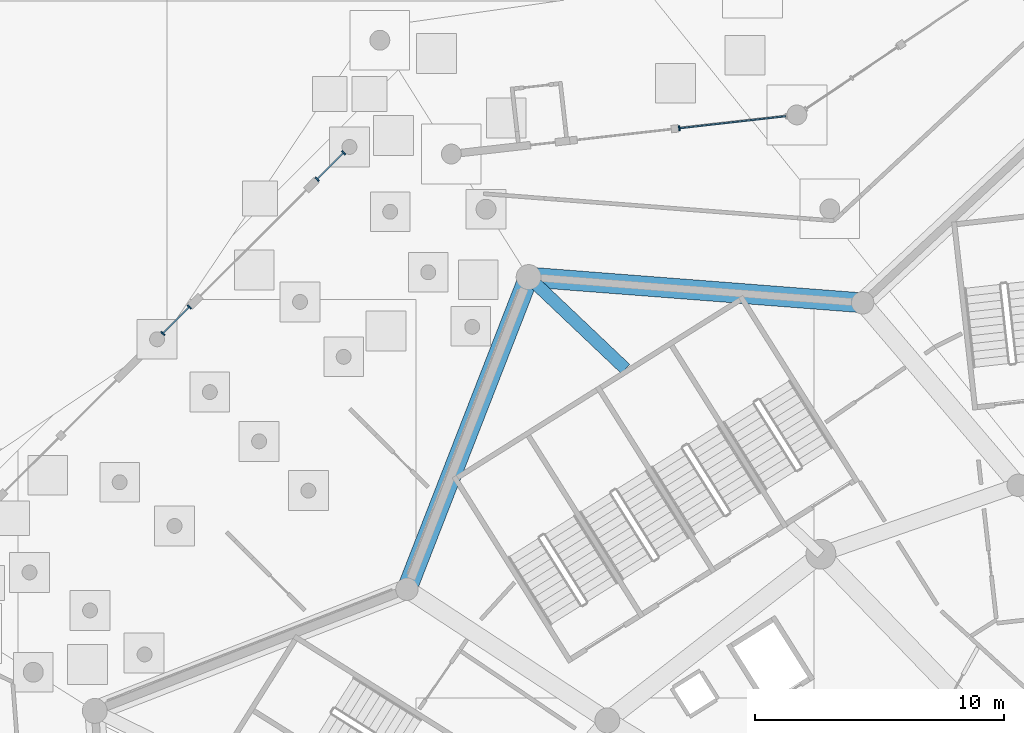
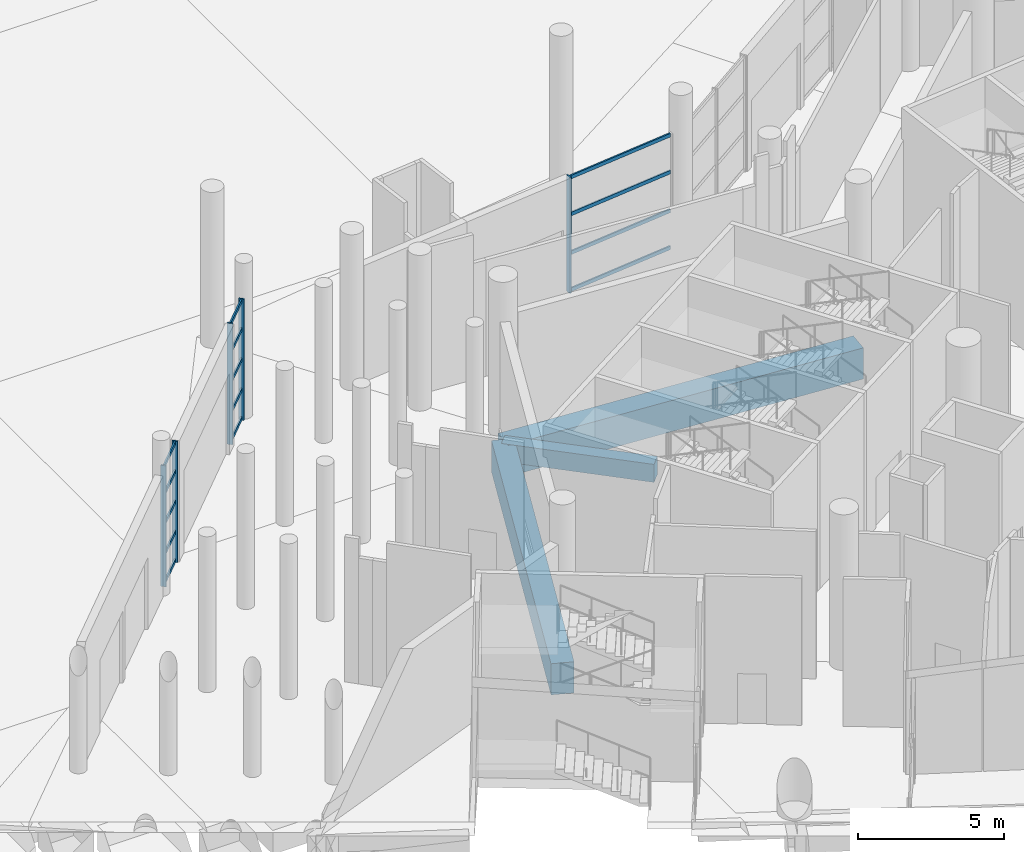
# One storey, part 50 of 255: 19 members, 3 beams, 3 elements without a shape of their own.
"""IFC4 building model written with IfcOpenShell, lengths in metres."""

from ifc_helpers import new_model, si_unit, direction, frame, origin, origin_2d, place, context, subcontext, project, spatial, rectangle, extrude, material, layer, layer_set, material_profile, profile_set, type_object, element, aggregate, save


model = new_model("IFC4")

# Units and contexts
model_context = context("Model", 3, precision=1e-05, world=origin(), true_north=direction((0.0, 1.0)))
body_context = subcontext(model_context, "Body", "Model", "MODEL_VIEW")
ifc_project = project(units=[si_unit("LENGTHUNIT", "METRE"), si_unit("AREAUNIT", "SQUARE_METRE"), si_unit("VOLUMEUNIT", "CUBIC_METRE"), si_unit("PLANEANGLEUNIT", "RADIAN"), si_unit("MASSUNIT", "GRAM", prefix="KILO")], contexts=[model_context])

# Site, building, storey
site_placement = place(None, origin())
site = spatial("IfcSite", under=ifc_project, at=site_placement, CompositionType="ELEMENT")
building_placement = place(site_placement, origin())
building = spatial("IfcBuilding", under=site, at=building_placement, Name="Meseta Stadium", CompositionType="ELEMENT")
storey_placement = place(building_placement, origin())
storey = spatial("IfcBuildingStorey", under=building, at=storey_placement, Name="L00", CompositionType="ELEMENT", Elevation=0.0)

# Beams
ifc_material_1 = material(Name="Concrete C40/50", Category="concrete")
ifc_material_profile_1 = material_profile(ifc_material_1, rectangle(XDim=0.5, YDim=0.75, at=origin_2d()), Name="RC 500x750")
ifc_profile_set_1 = profile_set([ifc_material_profile_1], Name="Concrete C40/50")
beam_type_1 = type_object("IfcBeamType", Name="RC beam 500x750", PredefinedType="BEAM", material=ifc_profile_set_1)
beam_placement = place(storey_placement, frame((-71.57958984375, 93.214599609375, -0.77490234375), z_axis=(-0.725596444109, 0.688120483852, 0.0), x_axis=(-0.688120483852, -0.725596444109, 0.0)))
element("IfcBeam", 1, at=beam_placement, inside=storey, type_object=beam_type_1, Name="L00 radial beam frame 24 line P to R", PredefinedType="BEAM", context=body_context, shape_type="SweptSolid", body=[
    extrude(rectangle(XDim=0.5, YDim=0.75, at=origin_2d()), origin(), (0.0, 0.0, 1.0), 5.367919921875),
])
ifc_material_2 = material(Name="Concrete C40/50", Category="concrete")
ifc_material_profile_2 = material_profile(ifc_material_2, rectangle(XDim=0.800048828125, YDim=1.300048828125, at=origin_2d()), Name="RC 800x1300")
ifc_profile_set_2 = profile_set([ifc_material_profile_2], Name="Concrete C40/50")
beam_type_2 = type_object("IfcBeamType", Name="RC beam 800x1300", PredefinedType="BEAM", material=ifc_profile_set_2)
for number, where, z_axis, x_axis, name in (
    (2, (-62.051513671875, 95.872802734375, -1.050048828125), (-0.997036858399, 0.076925307894, 0.0), (-0.076925307894, -0.997036858399, 0.0), "L00 ring beam frame 23 line R"),
    (3, (-75.474609375, 96.908447265625, -1.050048828125), (-0.363287980868, -0.93167689837, 0.0), (0.93167689837, -0.363287980868, 0.0), "L00 ring beam frame 24 line R"),
):
    element("IfcBeam", number, at=place(storey_placement, frame(where, z_axis=z_axis, x_axis=x_axis)), inside=storey, type_object=beam_type_2, Name=name, PredefinedType="BEAM", context=body_context, shape_type="SweptSolid", body=[
        extrude(rectangle(XDim=0.800048828125, YDim=1.300048828125, at=origin_2d()), origin(), (0.0, 0.0, 1.0), 13.462890625),
    ])

# Curtain wall, member
ifc_material_3 = material(Name="Aluminium", Category="aluminium")
ifc_layer_1 = layer(ifc_material_3, 0.199951171875)
ifc_layer_set_1 = layer_set([ifc_layer_1], Name="Ring shopfront curtain wall")
curtain_wall_type_1 = type_object("IfcCurtainWallType", Name="Ring shopfront curtain wall", PredefinedType="NOTDEFINED", material=ifc_layer_set_1)
curtain_wall_1_placement = place(storey_placement, origin())
curtain_wall_1 = element("IfcCurtainWall", 4, at=curtain_wall_1_placement, inside=storey, type_object=curtain_wall_type_1, Name="Shopfront glazing F23a", PredefinedType="NOTDEFINED")
ifc_material_4 = material(Name="Aluminium", Category="aluminium")
ifc_material_profile_3 = material_profile(ifc_material_4, rectangle(XDim=0.199951171875, YDim=0.06005859375, at=origin_2d()), Name="CW 200x60")
ifc_profile_set_3 = profile_set([ifc_material_profile_3], Name="Aluminium")
member_type_1 = type_object("IfcMemberType", Name="Ring CW mullion 60x200", PredefinedType="MULLION", material=ifc_profile_set_3)
member_1_placement = place(storey_placement, frame((-69.42138671875, 102.888671875, 0.0), z_axis=(0.0, 0.0, 1.0), x_axis=(0.112472456913, -0.993654842707, 0.0)))
member_1 = element("IfcMember", 5, at=member_1_placement, type_object=member_type_1, Name="CWR1 mullion 2", PredefinedType="MULLION", context=body_context, shape_type="SweptSolid", body=[
    extrude(rectangle(XDim=0.199951171875, YDim=0.06005859375, at=origin_2d()), origin(), (0.0, 0.0, 1.0), 4.85009765625),
])

# Curtain wall, members
ifc_material_5 = material(Name="Aluminium", Category="aluminium")
ifc_layer_2 = layer(ifc_material_5, 0.199951171875)
ifc_layer_set_2 = layer_set([ifc_layer_2], Name="Gate hall curtain wall")
curtain_wall_type_2 = type_object("IfcCurtainWallType", Name="Gate hall curtain wall", PredefinedType="NOTDEFINED", material=ifc_layer_set_2)
curtain_wall_2_placement = place(storey_placement, origin())
curtain_wall_2 = element("IfcCurtainWall", 6, at=curtain_wall_2_placement, inside=storey, type_object=curtain_wall_type_2, Name="Gate 4 glazing", PredefinedType="NOTDEFINED")
member_2_placement = place(storey_placement, frame((-82.908447265625, 101.904296875, 0.0), z_axis=(0.0, 0.0, 1.0), x_axis=(0.707138691054, -0.707074869879, 0.0)))
member_2 = element("IfcMember", 7, at=member_2_placement, type_object=member_type_1, Name="CWG1 mullion 1", PredefinedType="MULLION", context=body_context, shape_type="SweptSolid", body=[
    extrude(rectangle(XDim=0.199951171875, YDim=0.06005859375, at=origin_2d()), origin(), (0.0, 0.0, 1.0), 5.050048828125),
])
member_3_placement = place(storey_placement, frame((-83.973876953125, 100.838623046875, 0.0), z_axis=(0.0, 0.0, 1.0), x_axis=(0.707138691054, -0.707074869879, 0.0)))
member_3 = element("IfcMember", 8, at=member_3_placement, type_object=member_type_1, Name="CWG1 mullion 2", PredefinedType="MULLION", context=body_context, shape_type="SweptSolid", body=[
    extrude(rectangle(XDim=0.199951171875, YDim=0.06005859375, at=origin_2d()), origin(), (0.0, 0.0, 1.0), 5.050048828125),
])

curtain_wall_3_placement = place(storey_placement, origin())
curtain_wall_3 = element("IfcCurtainWall", 9, at=curtain_wall_3_placement, inside=storey, type_object=curtain_wall_type_2, Name="Gate 4 glazing", PredefinedType="NOTDEFINED")
member_4_placement = place(storey_placement, frame((-89.107421875, 95.705078125, 0.0), z_axis=(0.0, 0.0, 1.0), x_axis=(0.707106781187, -0.707106781187, 0.0)))
member_4 = element("IfcMember", 10, at=member_4_placement, type_object=member_type_1, Name="CWG1 mullion 1", PredefinedType="MULLION", context=body_context, shape_type="SweptSolid", body=[
    extrude(rectangle(XDim=0.199951171875, YDim=0.06005859375, at=origin_2d()), origin(), (0.0, 0.0, 1.0), 5.050048828125),
])
member_5_placement = place(storey_placement, frame((-90.173095703125, 94.6396484375, 0.0), z_axis=(0.0, 0.0, 1.0), x_axis=(0.707106781187, -0.707106781187, 0.0)))
member_5 = element("IfcMember", 11, at=member_5_placement, type_object=member_type_1, Name="CWG1 mullion 2", PredefinedType="MULLION", context=body_context, shape_type="SweptSolid", body=[
    extrude(rectangle(XDim=0.199951171875, YDim=0.06005859375, at=origin_2d()), origin(), (0.0, 0.0, 1.0), 5.050048828125),
])

# Member
ifc_material_6 = material(Name="Aluminium", Category="aluminium")
ifc_material_profile_4 = material_profile(ifc_material_6, rectangle(XDim=0.06005859375, YDim=0.14990234375, at=origin_2d()), Name="CW 60x150")
ifc_profile_set_4 = profile_set([ifc_material_profile_4], Name="Aluminium")
member_type_2 = type_object("IfcMemberType", Name="Ring CW transom 60x150", PredefinedType="USERDEFINED", material=ifc_profile_set_4)
member_6_placement = place(storey_placement, frame((-65.15087890625, 103.3720703125, 0.074951171875), z_axis=(-0.993655622202, -0.112465570135, 0.0), x_axis=(0.112465570135, -0.993655622202, 0.0)))
member_6 = element("IfcMember", 12, at=member_6_placement, type_object=member_type_2, Name="CWR1 transom 1.1", ObjectType="TRANSOM", PredefinedType="USERDEFINED", context=body_context, shape_type="SweptSolid", body=[
    extrude(rectangle(XDim=0.06005859375, YDim=0.14990234375, at=origin_2d()), origin(), (0.0, 0.0, 1.0), 4.267822265625),
])

member_7_placement = place(storey_placement, frame((-65.15087890625, 103.3720703125, 1.61669921875), z_axis=(-0.993655622202, -0.112465570135, 0.0), x_axis=(0.112465570135, -0.993655622202, 0.0)))
member_7 = element("IfcMember", 13, at=member_7_placement, type_object=member_type_2, Name="CWR1 transom 1.2", ObjectType="TRANSOM", PredefinedType="USERDEFINED", context=body_context, shape_type="SweptSolid", body=[
    extrude(rectangle(XDim=0.06005859375, YDim=0.14990234375, at=origin_2d()), origin(), (0.0, 0.0, 1.0), 4.267822265625),
])

member_8_placement = place(storey_placement, frame((-65.15087890625, 103.3720703125, 3.2333984375), z_axis=(-0.993655622202, -0.112465570135, 0.0), x_axis=(0.112465570135, -0.993655622202, 0.0)))
member_8 = element("IfcMember", 14, at=member_8_placement, type_object=member_type_2, Name="CWR1 transom 1.3", ObjectType="TRANSOM", PredefinedType="USERDEFINED", context=body_context, shape_type="SweptSolid", body=[
    extrude(rectangle(XDim=0.06005859375, YDim=0.14990234375, at=origin_2d()), origin(), (0.0, 0.0, 1.0), 4.267822265625),
])

member_9_placement = place(storey_placement, frame((-65.15087890625, 103.3720703125, 4.77490234375), z_axis=(-0.993655622202, -0.112465570135, 0.0), x_axis=(0.112465570135, -0.993655622202, 0.0)))
member_9 = element("IfcMember", 15, at=member_9_placement, type_object=member_type_2, Name="CWR1 transom 1.4", ObjectType="TRANSOM", PredefinedType="USERDEFINED", context=body_context, shape_type="SweptSolid", body=[
    extrude(rectangle(XDim=0.06005859375, YDim=0.14990234375, at=origin_2d()), origin(), (0.0, 0.0, 1.0), 4.267822265625),
])

aggregate(curtain_wall_1, [member_1, member_6, member_7, member_8, member_9])

member_10_placement = place(storey_placement, frame((-82.9296875, 101.883056640625, 0.074951171875), z_axis=(-0.707022405938, -0.707191146369, 0.0), x_axis=(0.707191146369, -0.707022405938, 0.0)))
member_10 = element("IfcMember", 16, at=member_10_placement, type_object=member_type_2, Name="CWG1 transom 1.1", ObjectType="TRANSOM", PredefinedType="USERDEFINED", context=body_context, shape_type="SweptSolid", body=[
    extrude(rectangle(XDim=0.06005859375, YDim=0.14990234375, at=origin_2d()), origin(), (0.0, 0.0, 1.0), 1.44677734375),
])

member_11_placement = place(storey_placement, frame((-82.9296875, 101.883056640625, 1.262451171875), z_axis=(-0.707022405938, -0.707191146369, 0.0), x_axis=(0.707191146369, -0.707022405938, 0.0)))
member_11 = element("IfcMember", 17, at=member_11_placement, type_object=member_type_2, Name="CWG1 transom 1.2", ObjectType="TRANSOM", PredefinedType="USERDEFINED", context=body_context, shape_type="SweptSolid", body=[
    extrude(rectangle(XDim=0.06005859375, YDim=0.14990234375, at=origin_2d()), origin(), (0.0, 0.0, 1.0), 1.44677734375),
])

member_12_placement = place(storey_placement, frame((-82.9296875, 101.883056640625, 2.52490234375), z_axis=(-0.707022405938, -0.707191146369, 0.0), x_axis=(0.707191146369, -0.707022405938, 0.0)))
member_12 = element("IfcMember", 18, at=member_12_placement, type_object=member_type_2, Name="CWG1 transom 1.3", ObjectType="TRANSOM", PredefinedType="USERDEFINED", context=body_context, shape_type="SweptSolid", body=[
    extrude(rectangle(XDim=0.06005859375, YDim=0.14990234375, at=origin_2d()), origin(), (0.0, 0.0, 1.0), 1.44677734375),
])

member_13_placement = place(storey_placement, frame((-82.9296875, 101.883056640625, 3.78759765625), z_axis=(-0.707022405938, -0.707191146369, 0.0), x_axis=(0.707191146369, -0.707022405938, 0.0)))
member_13 = element("IfcMember", 19, at=member_13_placement, type_object=member_type_2, Name="CWG1 transom 1.4", ObjectType="TRANSOM", PredefinedType="USERDEFINED", context=body_context, shape_type="SweptSolid", body=[
    extrude(rectangle(XDim=0.06005859375, YDim=0.14990234375, at=origin_2d()), origin(), (0.0, 0.0, 1.0), 1.44677734375),
])

member_14_placement = place(storey_placement, frame((-82.9296875, 101.883056640625, 4.97509765625), z_axis=(-0.707022405938, -0.707191146369, 0.0), x_axis=(0.707191146369, -0.707022405938, 0.0)))
member_14 = element("IfcMember", 20, at=member_14_placement, type_object=member_type_2, Name="CWG1 transom 1.5", ObjectType="TRANSOM", PredefinedType="USERDEFINED", context=body_context, shape_type="SweptSolid", body=[
    extrude(rectangle(XDim=0.06005859375, YDim=0.14990234375, at=origin_2d()), origin(), (0.0, 0.0, 1.0), 1.44677734375),
])

aggregate(curtain_wall_2, [member_2, member_3, member_10, member_11, member_12, member_13, member_14])

member_15_placement = place(storey_placement, frame((-89.128662109375, 95.68408203125, 0.074951171875), z_axis=(-0.707106781187, -0.707106781187, 0.0), x_axis=(0.707106781187, -0.707106781187, 0.0)))
member_15 = element("IfcMember", 21, at=member_15_placement, type_object=member_type_2, Name="CWG1 transom 1.1", ObjectType="TRANSOM", PredefinedType="USERDEFINED", context=body_context, shape_type="SweptSolid", body=[
    extrude(rectangle(XDim=0.06005859375, YDim=0.14990234375, at=origin_2d()), origin(), (0.0, 0.0, 1.0), 1.447021484375),
])

member_16_placement = place(storey_placement, frame((-89.128662109375, 95.68408203125, 1.262451171875), z_axis=(-0.707106781187, -0.707106781187, 0.0), x_axis=(0.707106781187, -0.707106781187, 0.0)))
member_16 = element("IfcMember", 22, at=member_16_placement, type_object=member_type_2, Name="CWG1 transom 1.2", ObjectType="TRANSOM", PredefinedType="USERDEFINED", context=body_context, shape_type="SweptSolid", body=[
    extrude(rectangle(XDim=0.06005859375, YDim=0.14990234375, at=origin_2d()), origin(), (0.0, 0.0, 1.0), 1.447021484375),
])

member_17_placement = place(storey_placement, frame((-89.128662109375, 95.68408203125, 2.52490234375), z_axis=(-0.707106781187, -0.707106781187, 0.0), x_axis=(0.707106781187, -0.707106781187, 0.0)))
member_17 = element("IfcMember", 23, at=member_17_placement, type_object=member_type_2, Name="CWG1 transom 1.3", ObjectType="TRANSOM", PredefinedType="USERDEFINED", context=body_context, shape_type="SweptSolid", body=[
    extrude(rectangle(XDim=0.06005859375, YDim=0.14990234375, at=origin_2d()), origin(), (0.0, 0.0, 1.0), 1.447021484375),
])

member_18_placement = place(storey_placement, frame((-89.128662109375, 95.68408203125, 3.78759765625), z_axis=(-0.707106781187, -0.707106781187, 0.0), x_axis=(0.707106781187, -0.707106781187, 0.0)))
member_18 = element("IfcMember", 24, at=member_18_placement, type_object=member_type_2, Name="CWG1 transom 1.4", ObjectType="TRANSOM", PredefinedType="USERDEFINED", context=body_context, shape_type="SweptSolid", body=[
    extrude(rectangle(XDim=0.06005859375, YDim=0.14990234375, at=origin_2d()), origin(), (0.0, 0.0, 1.0), 1.447021484375),
])

member_19_placement = place(storey_placement, frame((-89.128662109375, 95.68408203125, 4.97509765625), z_axis=(-0.707106781187, -0.707106781187, 0.0), x_axis=(0.707106781187, -0.707106781187, 0.0)))
member_19 = element("IfcMember", 25, at=member_19_placement, type_object=member_type_2, Name="CWG1 transom 1.5", ObjectType="TRANSOM", PredefinedType="USERDEFINED", context=body_context, shape_type="SweptSolid", body=[
    extrude(rectangle(XDim=0.06005859375, YDim=0.14990234375, at=origin_2d()), origin(), (0.0, 0.0, 1.0), 1.447021484375),
])

aggregate(curtain_wall_3, [member_4, member_5, member_15, member_16, member_17, member_18, member_19])

save(model, "model.ifc")
